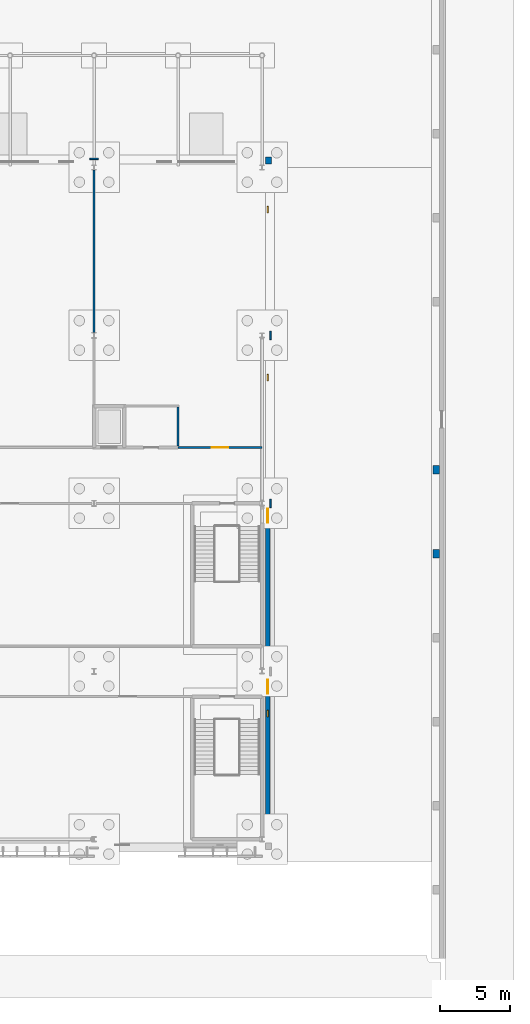
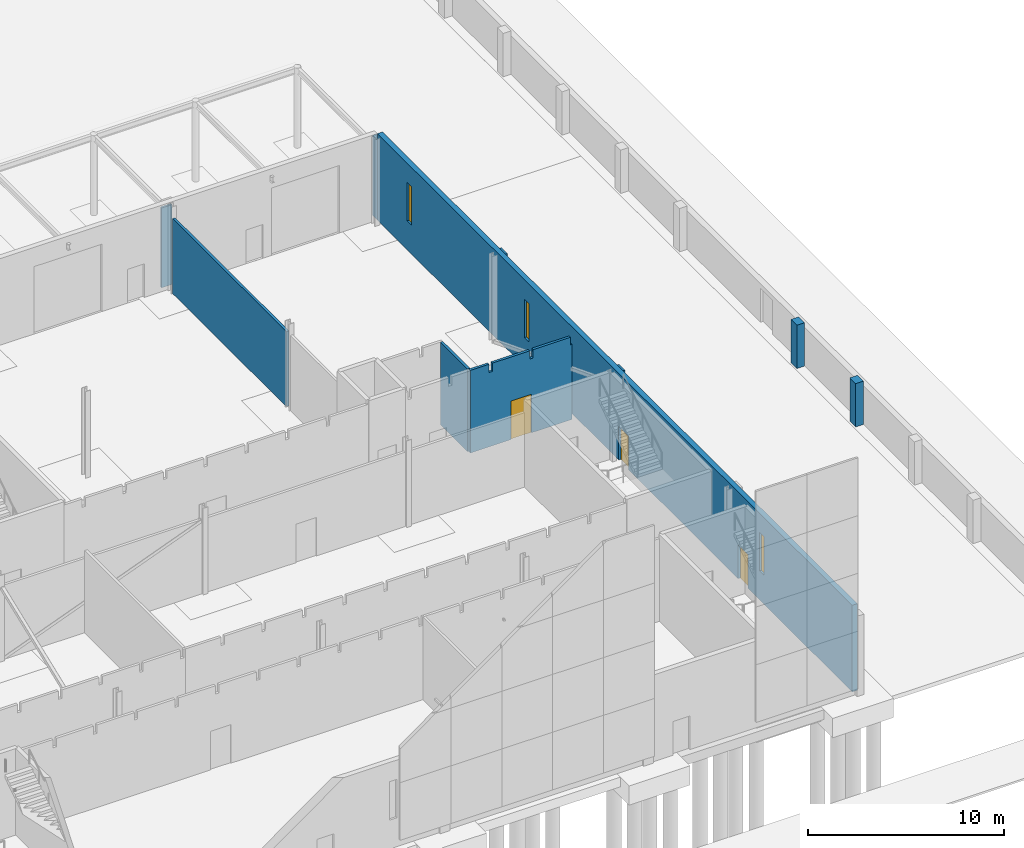
# One storey, part 90 of 132: 10 walls, 3 doors, 3 windows, 6 openings.
"""IFC4 building model written with IfcOpenShell, lengths in metres."""

from ifc_helpers import new_model, si_unit, direction, frame, frame_2d, origin, place, context, subcontext, project, spatial, polyline, rectangle, outline, extrude, material, layer, layer_set, type_object, element, fill, save


model = new_model("IFC4")

# Units and contexts
model_context = context("Model", 3, precision=1e-05, world=origin(), true_north=direction((0.0, 1.0)))
body_context = subcontext(model_context, "Body", "Model", "MODEL_VIEW")
ifc_project = project(units=[si_unit("LENGTHUNIT", "METRE"), si_unit("AREAUNIT", "SQUARE_METRE"), si_unit("VOLUMEUNIT", "CUBIC_METRE"), si_unit("PLANEANGLEUNIT", "RADIAN"), si_unit("MASSUNIT", "GRAM", prefix="KILO")], contexts=[model_context])

# Site, building, storey
site_placement = place(None, origin())
site = spatial("IfcSite", under=ifc_project, at=site_placement, CompositionType="ELEMENT")
building_placement = place(site_placement, origin())
building = spatial("IfcBuilding", under=site, at=building_placement, Name="Ravi Spectrum Wholesale Market", CompositionType="ELEMENT")
storey_placement = place(building_placement, origin())
storey = spatial("IfcBuildingStorey", under=building, at=storey_placement, Name="L00", CompositionType="ELEMENT", Elevation=0.0)

# Walls
ifc_material_1 = material(Name="Clinker brickwork", Category="masonry")
ifc_layer_1 = layer(ifc_material_1, 0.4599609375)
ifc_layer_set_1 = layer_set([ifc_layer_1], Name="Clinker brickwork")
wall_type_1 = type_object("IfcWallType", Name="Brick 460 pier wall", PredefinedType="SOLIDWALL", material=ifc_layer_set_1)
for number, where, z_axis, x_axis, name in (
    (1, (294.429931640625, 38.10009765625, 0.0), (0.0, 0.0, 1.0), (0.0, 1.0, 0.0), "ST-WL-L00-046"),
    (2, (294.429931640625, 44.10009765625, 0.0), (0.0, 0.0, 1.0), (0.0, 1.0, 0.0), "ST-WL-L00-047"),
):
    element("IfcWall", number, at=place(storey_placement, frame(where, z_axis=z_axis, x_axis=x_axis)), inside=storey, type_object=wall_type_1, Name=name, PredefinedType="SOLIDWALL", context=body_context, shape_type="SweptSolid", body=[
        extrude(rectangle(XDim=0.599853515625, YDim=0.4599609375, at=frame_2d((0.2998046875, 0.0))), origin(), (0.0, 0.0, 1.0), 2.699951171875),
    ])

# Wall, openings, doors, windows
ifc_material_2 = material(Name="Brick-faced insulated panel", Category="masonry")
ifc_layer_2 = layer(ifc_material_2, 0.300048828125)
ifc_layer_set_2 = layer_set([ifc_layer_2], Name="Brick-faced insulated panel")
wall_type_2 = type_object("IfcWallType", Name="Brick faced insulated panel 300", PredefinedType="SOLIDWALL", material=ifc_layer_set_2)
wall_1_placement = place(storey_placement, frame((282.39990234375, 17.75, 0.0), z_axis=(0.0, 0.0, 1.0), x_axis=(0.0, 1.0, 0.0)))
wall_1 = element("IfcWall", 3, at=wall_1_placement, inside=storey, type_object=wall_type_2, Name="CS-WL-L00-042", PredefinedType="SOLIDWALL", context=body_context, shape_type="SweptSolid", body=[
    extrude(rectangle(XDim=48.5, YDim=0.300048828125, at=frame_2d((24.25, 0.0))), origin(), (0.0, 0.0, 1.0), 5.39990234375),
])
opening_1_placement = place(wall_1_placement, frame((11.64990234375, 0.0, 0.0), z_axis=(0.0, 0.0, 1.0), x_axis=(-1.0, 0.0, 0.0)))
opening_1 = element("IfcOpeningElement", 4, at=opening_1_placement, cuts=wall_1, Name="Opening D479", PredefinedType="OPENING", context=body_context, shape_type="SweptSolid", body=[
    extrude(rectangle(XDim=1.0, YDim=2.10009765625, at=frame_2d((0.5, 1.050048828125))), frame((0.0, 0.159912109375, 0.0), z_axis=(0.0, -1.0, 0.0), x_axis=(1.0, 0.0, 0.0)), (0.0, 0.0, 1.0), 0.320068359375),
])
opening_2_placement = place(wall_1_placement, frame((23.85009765625, 0.0, 0.0), z_axis=(0.0, 0.0, 1.0), x_axis=(-1.0, 0.0, 0.0)))
opening_2 = element("IfcOpeningElement", 5, at=opening_2_placement, cuts=wall_1, Name="Opening D477", PredefinedType="OPENING", context=body_context, shape_type="SweptSolid", body=[
    extrude(rectangle(XDim=1.0, YDim=2.10009765625, at=frame_2d((0.5, 1.050048828125))), frame((0.0, 0.159912109375, 0.0), z_axis=(0.0, -1.0, 0.0), x_axis=(1.0, 0.0, 0.0)), (0.0, 0.0, 1.0), 0.320068359375),
])
opening_3_placement = place(wall_1_placement, frame((9.02490234375, 0.0, 1.800048828125)))
opening_3 = element("IfcOpeningElement", 6, at=opening_3_placement, cuts=wall_1, Name="Opening W2607", PredefinedType="OPENING", context=body_context, shape_type="SweptSolid", body=[
    extrude(rectangle(XDim=0.449951171875, YDim=2.39990234375, at=frame_2d((0.22509765625, 1.199951171875))), frame((0.0, 0.159912109375, 0.0), z_axis=(0.0, -1.0, 0.0), x_axis=(1.0, 0.0, 0.0)), (0.0, 0.0, 1.0), 0.320068359375),
])
opening_4_placement = place(wall_1_placement, frame((33.02490234375, 0.0, 1.800048828125)))
opening_4 = element("IfcOpeningElement", 7, at=opening_4_placement, cuts=wall_1, Name="Opening W2609", PredefinedType="OPENING", context=body_context, shape_type="SweptSolid", body=[
    extrude(rectangle(XDim=0.449951171875, YDim=2.39990234375, at=frame_2d((0.22509765625, 1.199951171875))), frame((0.0, 0.159912109375, 0.0), z_axis=(0.0, -1.0, 0.0), x_axis=(1.0, 0.0, 0.0)), (0.0, 0.0, 1.0), 0.320068359375),
])
opening_5_placement = place(wall_1_placement, frame((45.02490234375, 0.0, 1.800048828125)))
opening_5 = element("IfcOpeningElement", 8, at=opening_5_placement, cuts=wall_1, Name="Opening W2610", PredefinedType="OPENING", context=body_context, shape_type="SweptSolid", body=[
    extrude(rectangle(XDim=0.449951171875, YDim=2.39990234375, at=frame_2d((0.22509765625, 1.199951171875))), frame((0.0, 0.159912109375, 0.0), z_axis=(0.0, -1.0, 0.0), x_axis=(1.0, 0.0, 0.0)), (0.0, 0.0, 1.0), 0.320068359375),
])
ifc_material_3 = material(Name="Steel door", Category="steel")
door_type_1 = type_object("IfcDoorType", Name="Pedestrian exit door 1000 x 2100", OperationType="SINGLE_SWING_LEFT", PredefinedType="DOOR", material=ifc_material_3)
door_1_placement = place(opening_1_placement, origin())
door_1 = element("IfcDoor", 9, at=door_1_placement, inside=storey, type_object=door_type_1, Name="Door D479", OperationType="SINGLE_SWING_RIGHT", OverallHeight=2.10009765625, OverallWidth=1.0, PredefinedType="DOOR", context=body_context, shape_type="SweptSolid", body=[
    extrude(rectangle(XDim=1.0, YDim=2.10009765625, at=frame_2d((0.5, 1.050048828125))), frame((0.0, 0.02490234375, 0.0), z_axis=(0.0, -1.0, 0.0), x_axis=(1.0, 0.0, 0.0)), (0.0, 0.0, 1.0), 0.050048828125),
])
fill(opening_1, door_1)
door_2_placement = place(opening_2_placement, origin())
door_2 = element("IfcDoor", 10, at=door_2_placement, inside=storey, type_object=door_type_1, Name="Door D477", OperationType="SINGLE_SWING_LEFT", OverallHeight=2.10009765625, OverallWidth=1.0, PredefinedType="DOOR", context=body_context, shape_type="SweptSolid", body=[
    extrude(rectangle(XDim=1.0, YDim=2.10009765625, at=frame_2d((0.5, 1.050048828125))), frame((0.0, 0.02490234375, 0.0), z_axis=(0.0, -1.0, 0.0), x_axis=(1.0, 0.0, 0.0)), (0.0, 0.0, 1.0), 0.050048828125),
])
fill(opening_2, door_2)
ifc_material_4 = material(Name="Steel window frame", Category="steel")
window_type = type_object("IfcWindowType", Name="Slot window 450 x 2400", PartitioningType="SINGLE_PANEL", PredefinedType="WINDOW", material=ifc_material_4)
window_1_placement = place(opening_3_placement, origin())
window_1 = element("IfcWindow", 11, at=window_1_placement, inside=storey, type_object=window_type, Name="Window W2607", OverallHeight=2.39990234375, OverallWidth=0.449951171875, PartitioningType="SINGLE_PANEL", PredefinedType="WINDOW", context=body_context, shape_type="SweptSolid", body=[
    extrude(rectangle(XDim=0.449951171875, YDim=2.39990234375, at=frame_2d((0.22509765625, 1.199951171875))), frame((0.0, 0.030029296875, 0.0), z_axis=(0.0, -1.0, 0.0), x_axis=(1.0, 0.0, 0.0)), (0.0, 0.0, 1.0), 0.06005859375),
])
fill(opening_3, window_1)
window_2_placement = place(opening_4_placement, origin())
window_2 = element("IfcWindow", 12, at=window_2_placement, inside=storey, type_object=window_type, Name="Window W2609", OverallHeight=2.39990234375, OverallWidth=0.449951171875, PartitioningType="SINGLE_PANEL", PredefinedType="WINDOW", context=body_context, shape_type="SweptSolid", body=[
    extrude(rectangle(XDim=0.449951171875, YDim=2.39990234375, at=frame_2d((0.22509765625, 1.199951171875))), frame((0.0, 0.030029296875, 0.0), z_axis=(0.0, -1.0, 0.0), x_axis=(1.0, 0.0, 0.0)), (0.0, 0.0, 1.0), 0.06005859375),
])
fill(opening_4, window_2)
window_3_placement = place(opening_5_placement, origin())
window_3 = element("IfcWindow", 13, at=window_3_placement, inside=storey, type_object=window_type, Name="Window W2610", OverallHeight=2.39990234375, OverallWidth=0.449951171875, PartitioningType="SINGLE_PANEL", PredefinedType="WINDOW", context=body_context, shape_type="SweptSolid", body=[
    extrude(rectangle(XDim=0.449951171875, YDim=2.39990234375, at=frame_2d((0.22509765625, 1.199951171875))), frame((0.0, 0.030029296875, 0.0), z_axis=(0.0, -1.0, 0.0), x_axis=(1.0, 0.0, 0.0)), (0.0, 0.0, 1.0), 0.06005859375),
])
fill(opening_5, window_3)

# Walls
ifc_material_5 = material(Name="Clinker brickwork", Category="masonry")
ifc_layer_3 = layer(ifc_material_5, 0.485107421875)
ifc_layer_set_3 = layer_set([ifc_layer_3], Name="Clinker brickwork")
wall_type_3 = type_object("IfcWallType", Name="Brick pier 485", PredefinedType="SOLIDWALL", material=ifc_layer_set_3)
wall_2_placement = place(storey_placement, frame((282.25, 66.492431640625, 0.0), z_axis=(0.0, 0.0, 1.0), x_axis=(1.0, 0.0, 0.0)))
element("IfcWall", 14, at=wall_2_placement, inside=storey, type_object=wall_type_3, Name="CS-WL-L00-033", PredefinedType="SOLIDWALL", context=body_context, shape_type="SweptSolid", body=[
    extrude(rectangle(XDim=0.4150390625, YDim=0.485107421875, at=frame_2d((0.20751953125, 0.0))), origin(), (0.0, 0.0, 1.0), 5.010009765625),
])
ifc_material_6 = material(Name="Facing brickwork", Category="masonry")
ifc_layer_4 = layer(ifc_material_6, 0.114990234375)
ifc_layer_set_4 = layer_set([ifc_layer_4], Name="Facing brickwork")
wall_type_4 = type_object("IfcWallType", Name="Brick pilaster 115", PredefinedType="SOLIDWALL", material=ifc_layer_set_4)
for number, where, z_axis, x_axis, name in (
    (15, (282.607421875, 41.699951171875, 0.0), (0.0, 0.0, 1.0), (0.0, 1.0, 0.0), "CS-WL-L00-044"),
    (16, (282.607421875, 53.699951171875, 0.0), (0.0, 0.0, 1.0), (0.0, 1.0, 0.0), "CS-WL-L00-045"),
):
    element("IfcWall", number, at=place(storey_placement, frame(where, z_axis=z_axis, x_axis=x_axis)), inside=storey, type_object=wall_type_4, Name=name, PredefinedType="SOLIDWALL", context=body_context, shape_type="SweptSolid", body=[
        extrude(rectangle(XDim=0.60009765625, YDim=0.114990234375, at=frame_2d((0.300048828125, 0.0))), origin(), (0.0, 0.0, 1.0), 5.39990234375),
    ])
wall_3_placement = place(storey_placement, frame((270.300048828125, 66.607421875, 0.0), z_axis=(0.0, 0.0, 1.0), x_axis=(-1.0, 0.0, 0.0)))
element("IfcWall", 17, at=wall_3_placement, inside=storey, type_object=wall_type_4, Name="CS-WL-L00-047", PredefinedType="SOLIDWALL", context=body_context, shape_type="SweptSolid", body=[
    extrude(rectangle(XDim=0.60009765625, YDim=0.114990234375, at=frame_2d((0.300048828125, 0.0))), origin(), (0.0, 0.0, 1.0), 4.97998046875),
])

# Wall, opening, door
ifc_material_7 = material(Name="Insulated panel")
ifc_layer_5 = layer(ifc_material_7, 0.14990234375)
ifc_layer_set_5 = layer_set([ifc_layer_5], Name="Insulated panel")
wall_type_5 = type_object("IfcWallType", Name="Cold store panel 150", PredefinedType="PARTITIONING", material=ifc_layer_set_5)
wall_4_placement = place(storey_placement, frame((276.0, 46.0, 0.0), z_axis=(0.0, 0.0, 1.0), x_axis=(1.0, 0.0, 0.0)))
wall_4 = element("IfcWall", 18, at=wall_4_placement, inside=storey, type_object=wall_type_5, Name="CS-WL-L00-090", PredefinedType="PARTITIONING", context=body_context, shape_type="SweptSolid", body=[
    extrude(outline(polyline([(0.0, 0.0), (6.0, 0.0), (6.0, 4.679931640625), (5.905029296875, 4.679931640625), (5.89990234375, 5.14990234375), (3.705078125, 5.14990234375), (3.699951171875, 4.6298828125), (3.5, 4.6298828125), (3.4951171875, 5.14990234375), (1.304931640625, 5.14990234375), (1.300048828125, 4.6298828125), (1.10009765625, 4.6298828125), (1.094970703125, 5.14990234375), (0.0, 5.14990234375), (0.0, 0.0)])), frame((0.0, 0.074951171875, 0.0), z_axis=(0.0, -1.0, 0.0), x_axis=(1.0, 0.0, 0.0)), (0.0, 0.0, 1.0), 0.14990234375),
])
opening_6_placement = place(wall_4_placement, frame((2.39990234375, 0.0, 0.0)))
opening_6 = element("IfcOpeningElement", 19, at=opening_6_placement, cuts=wall_4, Name="Opening D473", PredefinedType="OPENING", context=body_context, shape_type="SweptSolid", body=[
    extrude(rectangle(XDim=1.199951171875, YDim=2.39990234375, at=frame_2d((0.60009765625, 1.199951171875))), frame((0.0, 0.0849609375, 0.0), z_axis=(0.0, -1.0, 0.0), x_axis=(1.0, 0.0, 0.0)), (0.0, 0.0, 1.0), 0.169921875),
])
ifc_material_8 = material(Name="Insulated panel door")
door_type_2 = type_object("IfcDoorType", Name="Cold store insulated door 1200 x 2400", OperationType="SINGLE_SWING_LEFT", PredefinedType="DOOR", material=ifc_material_8)
door_3_placement = place(opening_6_placement, origin())
door_3 = element("IfcDoor", 20, at=door_3_placement, inside=storey, type_object=door_type_2, Name="Door D473", OperationType="SINGLE_SWING_LEFT", OverallHeight=2.39990234375, OverallWidth=1.199951171875, PredefinedType="DOOR", context=body_context, shape_type="SweptSolid", body=[
    extrude(rectangle(XDim=1.199951171875, YDim=2.39990234375, at=frame_2d((0.60009765625, 1.199951171875))), frame((0.0, 0.02490234375, 0.0), z_axis=(0.0, -1.0, 0.0), x_axis=(1.0, 0.0, 0.0)), (0.0, 0.0, 1.0), 0.050048828125),
])
fill(opening_6, door_3)

# Walls
wall_5_placement = place(storey_placement, frame((270.0, 54.199951171875, 0.0), z_axis=(0.0, 0.0, 1.0), x_axis=(0.0, 1.0, 0.0)))
element("IfcWall", 21, at=wall_5_placement, inside=storey, type_object=wall_type_5, Name="CS-WL-L00-103", PredefinedType="PARTITIONING", context=body_context, shape_type="SweptSolid", body=[
    extrude(rectangle(XDim=11.630126953125, YDim=0.14990234375, at=frame_2d((5.81494140625, 0.0))), origin(), (0.0, 0.0, 1.0), 4.679931640625),
])
wall_6_placement = place(storey_placement, frame((276.0, 46.10009765625, 0.0), z_axis=(0.0, 0.0, 1.0), x_axis=(0.0, 1.0, 0.0)))
element("IfcWall", 22, at=wall_6_placement, inside=storey, type_object=wall_type_5, Name="CS-WL-L00-104", PredefinedType="PARTITIONING", context=body_context, shape_type="SweptSolid", body=[
    extrude(rectangle(XDim=2.77490234375, YDim=0.14990234375, at=frame_2d((1.387451171875, 0.0))), origin(), (0.0, 0.0, 1.0), 5.14990234375),
])

save(model, "model.ifc")
